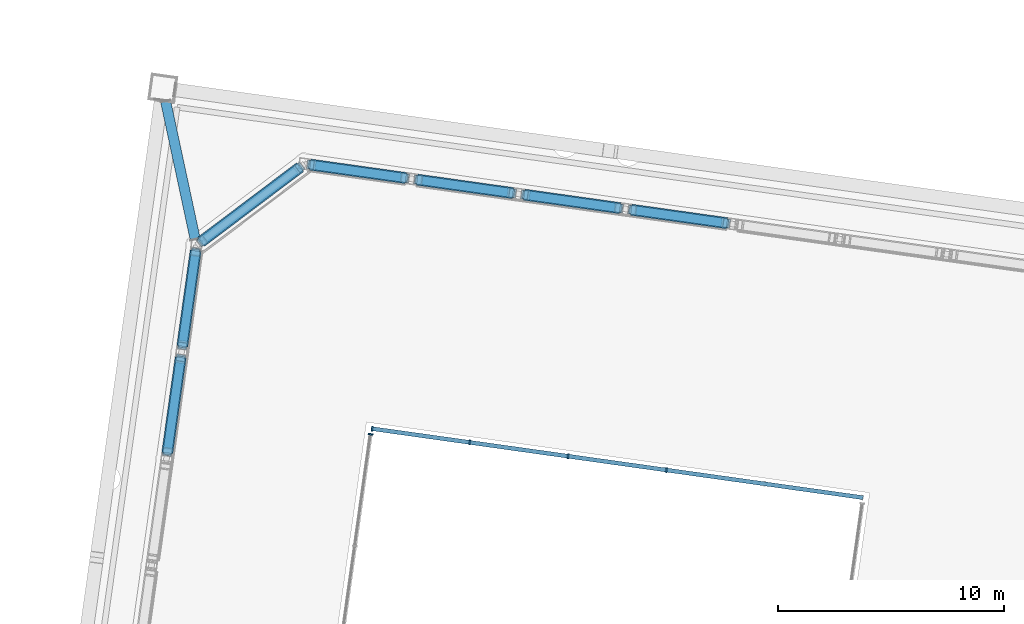
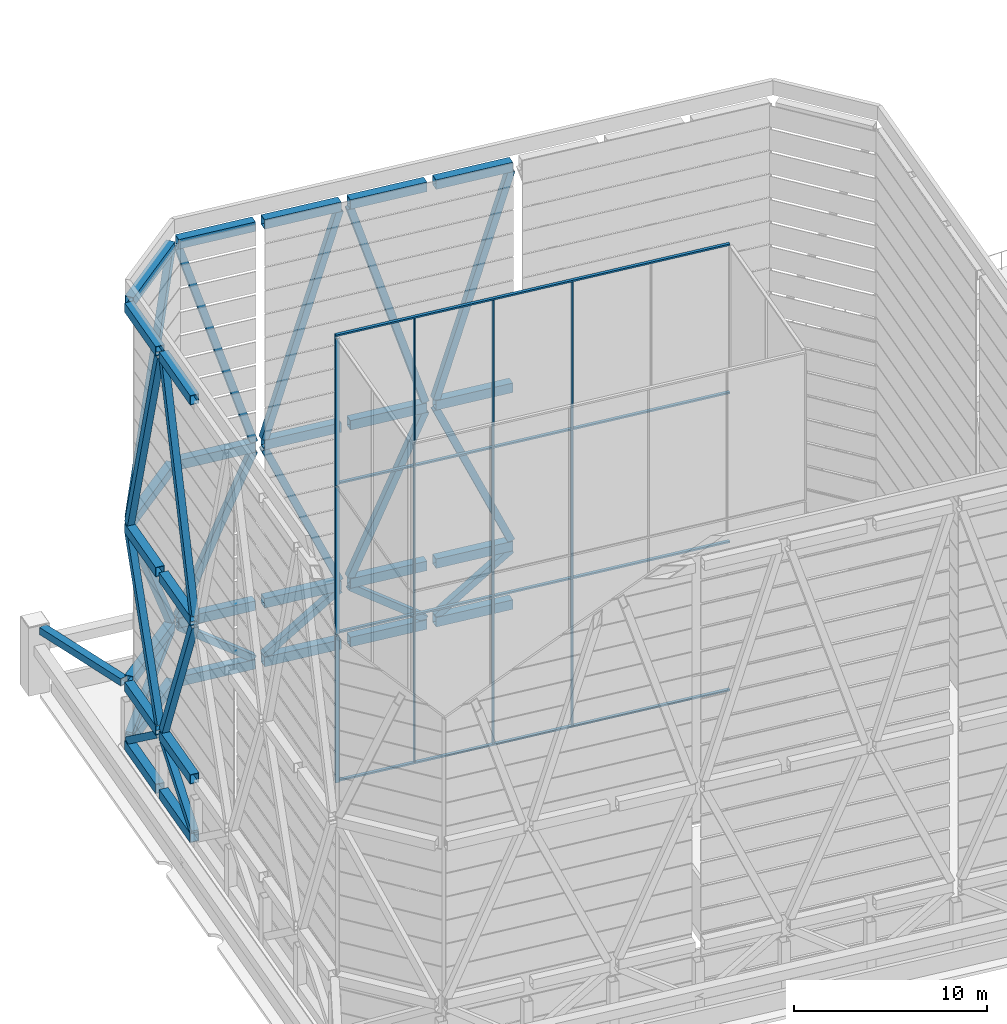
# One storey, part 9 of 45: 41 members, 28 beams, 2 elements without a shape of their own.
"""IFC4 building model written with IfcOpenShell, lengths in metres."""

from ifc_helpers import new_model, si_unit, direction, frame, origin, origin_2d, place, context, subcontext, project, spatial, rectangle, hollow_rectangle, extrude, material, material_profile, profile_set, type_object, element, aggregate, save


model = new_model("IFC4")

# Units and contexts
model_context = context("Model", 3, precision=1e-05, world=origin(), true_north=direction((0.0, 1.0)))
body_context = subcontext(model_context, "Body", "Model", "MODEL_VIEW")
ifc_project = project(units=[si_unit("LENGTHUNIT", "METRE"), si_unit("AREAUNIT", "SQUARE_METRE"), si_unit("VOLUMEUNIT", "CUBIC_METRE"), si_unit("PLANEANGLEUNIT", "RADIAN"), si_unit("MASSUNIT", "GRAM", prefix="KILO")], contexts=[model_context])

# Site, building, storey
site_placement = place(None, origin())
site = spatial("IfcSite", under=ifc_project, at=site_placement, CompositionType="ELEMENT")
building_placement = place(site_placement, origin())
building = spatial("IfcBuilding", under=site, at=building_placement, Name="Mirante Cascada Hotel Towers", CompositionType="ELEMENT")
storey_placement = place(building_placement, frame((0.0, 0.0, 269.8)))
storey = spatial("IfcBuildingStorey", under=building, at=storey_placement, Name="Roof garden", CompositionType="ELEMENT", Elevation=269.8)

# Beams
ifc_material_1 = material(Name="Steel ASTM A572 Gr 50", Category="steel")
ifc_material_profile_1 = material_profile(ifc_material_1, hollow_rectangle(XDim=0.5, YDim=0.6, WallThickness=0.03, at=origin_2d()), Name="Box beam 600x500x30 ASTM A572 Gr 50")
ifc_profile_set_1 = profile_set([ifc_material_profile_1], Name="Steel ASTM A572 Gr 50")
beam_type = type_object("IfcBeamType", Name="Box beam 600x500x30 ASTM A572 Gr 50", PredefinedType="BEAM", material=ifc_profile_set_1)
for number, where, z_axis, x_axis, name in (
    (1, (-30.7988, 16.8446, 0.3), (-0.9902679, 0.1391744, 0.0), (-0.1391744, -0.9902679, 0.0), "CROWN FRAME ring beam T1 12"),
    (2, (-35.5397, 17.5108, 0.3), (-0.9902647, 0.1391973, 0.0), (-0.1391973, -0.9902647, 0.0), "CROWN FRAME ring beam T1 13"),
    (3, (-40.2806, 18.1771, 0.3), (-0.9902679, 0.1391744, 0.0), (-0.1391744, -0.9902679, 0.0), "CROWN FRAME ring beam T1 14"),
    (4, (-45.0215, 18.8434, 0.3), (-0.9902679, 0.1391744, 0.0), (-0.1391744, -0.9902679, 0.0), "CROWN FRAME ring beam T1 15"),
):
    element("IfcBeam", number, at=place(storey_placement, frame(where, z_axis=z_axis, x_axis=x_axis)), inside=storey, type_object=beam_type, Name=name, PredefinedType="BEAM", context=body_context, shape_type="SweptSolid", body=[
        extrude(hollow_rectangle(XDim=0.5, YDim=0.6, WallThickness=0.03, at=origin_2d()), origin(), (0.0, 0.0, 1.0), 4.2874),
    ])
beam_1_placement = place(storey_placement, frame((-49.7144, 19.3245, 0.3), z_axis=(-0.7986365, -0.6018137, 0.0), x_axis=(0.6018137, -0.7986365, 0.0)))
element("IfcBeam", 5, at=beam_1_placement, inside=storey, type_object=beam_type, Name="CROWN FRAME ring beam T1 16", PredefinedType="BEAM", context=body_context, shape_type="SweptSolid", body=[
    extrude(hollow_rectangle(XDim=0.5, YDim=0.6, WallThickness=0.03, at=origin_2d()), origin(), (0.0, 0.0, 1.0), 5.4912),
])
beam_2_placement = place(storey_placement, frame((-54.3343, 15.6218, 0.3), z_axis=(-0.1391856, -0.9902663, 0.0), x_axis=(0.9902663, -0.1391856, 0.0)))
element("IfcBeam", 6, at=beam_2_placement, inside=storey, type_object=beam_type, Name="CROWN FRAME ring beam T1 17", PredefinedType="BEAM", context=body_context, shape_type="SweptSolid", body=[
    extrude(hollow_rectangle(XDim=0.5, YDim=0.6, WallThickness=0.03, at=origin_2d()), origin(), (0.0, 0.0, 1.0), 4.2713),
])
beam_3_placement = place(storey_placement, frame((-54.9984, 10.897, 0.3), z_axis=(-0.1391659, -0.9902691, 0.0), x_axis=(0.9902691, -0.1391659, 0.0)))
element("IfcBeam", 7, at=beam_3_placement, inside=storey, type_object=beam_type, Name="CROWN FRAME ring beam T1 18", PredefinedType="BEAM", context=body_context, shape_type="SweptSolid", body=[
    extrude(hollow_rectangle(XDim=0.5, YDim=0.6, WallThickness=0.03, at=origin_2d()), origin(), (0.0, 0.0, 1.0), 4.2712),
])
for number, where, z_axis, x_axis, name in (
    (8, (-30.7988, 16.8446, 4.0), (-0.9902679, 0.1391744, 0.0), (-0.1391744, -0.9902679, 0.0), "CROWN FRAME ring beam T1 42"),
    (9, (-35.5397, 17.5108, 4.0), (-0.9902647, 0.1391973, 0.0), (-0.1391973, -0.9902647, 0.0), "CROWN FRAME ring beam T1 43"),
    (10, (-40.2806, 18.1771, 4.0), (-0.9902679, 0.1391744, 0.0), (-0.1391744, -0.9902679, 0.0), "CROWN FRAME ring beam T1 44"),
    (11, (-45.0215, 18.8434, 4.0), (-0.9902679, 0.1391744, 0.0), (-0.1391744, -0.9902679, 0.0), "CROWN FRAME ring beam T1 45"),
):
    element("IfcBeam", number, at=place(storey_placement, frame(where, z_axis=z_axis, x_axis=x_axis)), inside=storey, type_object=beam_type, Name=name, PredefinedType="BEAM", context=body_context, shape_type="SweptSolid", body=[
        extrude(hollow_rectangle(XDim=0.5, YDim=0.6, WallThickness=0.03, at=origin_2d()), origin(), (0.0, 0.0, 1.0), 4.2874),
    ])
beam_4_placement = place(storey_placement, frame((-49.7144, 19.3245, 4.0), z_axis=(-0.7986365, -0.6018137, 0.0), x_axis=(0.6018137, -0.7986365, 0.0)))
element("IfcBeam", 12, at=beam_4_placement, inside=storey, type_object=beam_type, Name="CROWN FRAME ring beam T1 46", PredefinedType="BEAM", context=body_context, shape_type="SweptSolid", body=[
    extrude(hollow_rectangle(XDim=0.5, YDim=0.6, WallThickness=0.03, at=origin_2d()), origin(), (0.0, 0.0, 1.0), 5.4912),
])
beam_5_placement = place(storey_placement, frame((-54.3343, 15.6218, 4.0), z_axis=(-0.1391856, -0.9902663, 0.0), x_axis=(0.9902663, -0.1391856, 0.0)))
element("IfcBeam", 13, at=beam_5_placement, inside=storey, type_object=beam_type, Name="CROWN FRAME ring beam T1 47", PredefinedType="BEAM", context=body_context, shape_type="SweptSolid", body=[
    extrude(hollow_rectangle(XDim=0.5, YDim=0.6, WallThickness=0.03, at=origin_2d()), origin(), (0.0, 0.0, 1.0), 4.2713),
])
beam_6_placement = place(storey_placement, frame((-54.9984, 10.897, 4.0), z_axis=(-0.1391659, -0.9902691, 0.0), x_axis=(0.9902691, -0.1391659, 0.0)))
element("IfcBeam", 14, at=beam_6_placement, inside=storey, type_object=beam_type, Name="CROWN FRAME ring beam T1 48", PredefinedType="BEAM", context=body_context, shape_type="SweptSolid", body=[
    extrude(hollow_rectangle(XDim=0.5, YDim=0.6, WallThickness=0.03, at=origin_2d()), origin(), (0.0, 0.0, 1.0), 4.2712),
])
for number, where, z_axis, x_axis, name in (
    (15, (-30.7988, 16.8446, 14.0), (-0.9902679, 0.1391744, 0.0), (-0.1391744, -0.9902679, 0.0), "CROWN FRAME ring beam T1 72"),
    (16, (-35.5397, 17.5108, 14.0), (-0.9902647, 0.1391973, 0.0), (-0.1391973, -0.9902647, 0.0), "CROWN FRAME ring beam T1 73"),
    (17, (-40.2806, 18.1771, 14.0), (-0.9902679, 0.1391744, 0.0), (-0.1391744, -0.9902679, 0.0), "CROWN FRAME ring beam T1 74"),
    (18, (-45.0215, 18.8434, 14.0), (-0.9902679, 0.1391744, 0.0), (-0.1391744, -0.9902679, 0.0), "CROWN FRAME ring beam T1 75"),
):
    element("IfcBeam", number, at=place(storey_placement, frame(where, z_axis=z_axis, x_axis=x_axis)), inside=storey, type_object=beam_type, Name=name, PredefinedType="BEAM", context=body_context, shape_type="SweptSolid", body=[
        extrude(hollow_rectangle(XDim=0.5, YDim=0.6, WallThickness=0.03, at=origin_2d()), origin(), (0.0, 0.0, 1.0), 4.2874),
    ])
beam_7_placement = place(storey_placement, frame((-49.7144, 19.3245, 14.0), z_axis=(-0.7986365, -0.6018137, 0.0), x_axis=(0.6018137, -0.7986365, 0.0)))
element("IfcBeam", 19, at=beam_7_placement, inside=storey, type_object=beam_type, Name="CROWN FRAME ring beam T1 76", PredefinedType="BEAM", context=body_context, shape_type="SweptSolid", body=[
    extrude(hollow_rectangle(XDim=0.5, YDim=0.6, WallThickness=0.03, at=origin_2d()), origin(), (0.0, 0.0, 1.0), 5.4912),
])
beam_8_placement = place(storey_placement, frame((-54.3343, 15.6218, 14.0), z_axis=(-0.1391856, -0.9902663, 0.0), x_axis=(0.9902663, -0.1391856, 0.0)))
element("IfcBeam", 20, at=beam_8_placement, inside=storey, type_object=beam_type, Name="CROWN FRAME ring beam T1 77", PredefinedType="BEAM", context=body_context, shape_type="SweptSolid", body=[
    extrude(hollow_rectangle(XDim=0.5, YDim=0.6, WallThickness=0.03, at=origin_2d()), origin(), (0.0, 0.0, 1.0), 4.2713),
])
beam_9_placement = place(storey_placement, frame((-54.9984, 10.897, 14.0), z_axis=(-0.1391659, -0.9902691, 0.0), x_axis=(0.9902691, -0.1391659, 0.0)))
element("IfcBeam", 21, at=beam_9_placement, inside=storey, type_object=beam_type, Name="CROWN FRAME ring beam T1 78", PredefinedType="BEAM", context=body_context, shape_type="SweptSolid", body=[
    extrude(hollow_rectangle(XDim=0.5, YDim=0.6, WallThickness=0.03, at=origin_2d()), origin(), (0.0, 0.0, 1.0), 4.2712),
])
for number, where, z_axis, x_axis, name in (
    (22, (-30.7988, 16.8446, 27.95), (-0.9902679, 0.1391744, 0.0), (-0.1391744, -0.9902679, 0.0), "CROWN FRAME ring beam T1 102"),
    (23, (-35.5397, 17.5108, 27.95), (-0.9902647, 0.1391973, 0.0), (-0.1391973, -0.9902647, 0.0), "CROWN FRAME ring beam T1 103"),
    (24, (-40.2806, 18.1771, 27.95), (-0.9902679, 0.1391744, 0.0), (-0.1391744, -0.9902679, 0.0), "CROWN FRAME ring beam T1 104"),
    (25, (-45.0215, 18.8434, 27.95), (-0.9902679, 0.1391744, 0.0), (-0.1391744, -0.9902679, 0.0), "CROWN FRAME ring beam T1 105"),
):
    element("IfcBeam", number, at=place(storey_placement, frame(where, z_axis=z_axis, x_axis=x_axis)), inside=storey, type_object=beam_type, Name=name, PredefinedType="BEAM", context=body_context, shape_type="SweptSolid", body=[
        extrude(hollow_rectangle(XDim=0.5, YDim=0.6, WallThickness=0.03, at=origin_2d()), origin(), (0.0, 0.0, 1.0), 4.2874),
    ])
beam_10_placement = place(storey_placement, frame((-49.7144, 19.3245, 27.95), z_axis=(-0.7986365, -0.6018137, 0.0), x_axis=(0.6018137, -0.7986365, 0.0)))
element("IfcBeam", 26, at=beam_10_placement, inside=storey, type_object=beam_type, Name="CROWN FRAME ring beam T1 106", PredefinedType="BEAM", context=body_context, shape_type="SweptSolid", body=[
    extrude(hollow_rectangle(XDim=0.5, YDim=0.6, WallThickness=0.03, at=origin_2d()), origin(), (0.0, 0.0, 1.0), 5.4912),
])
beam_11_placement = place(storey_placement, frame((-54.3343, 15.6218, 27.95), z_axis=(-0.1391856, -0.9902663, 0.0), x_axis=(0.9902663, -0.1391856, 0.0)))
element("IfcBeam", 27, at=beam_11_placement, inside=storey, type_object=beam_type, Name="CROWN FRAME ring beam T1 107", PredefinedType="BEAM", context=body_context, shape_type="SweptSolid", body=[
    extrude(hollow_rectangle(XDim=0.5, YDim=0.6, WallThickness=0.03, at=origin_2d()), origin(), (0.0, 0.0, 1.0), 4.2713),
])
beam_12_placement = place(storey_placement, frame((-54.9984, 10.897, 27.95), z_axis=(-0.1391659, -0.9902691, 0.0), x_axis=(0.9902691, -0.1391659, 0.0)))
element("IfcBeam", 28, at=beam_12_placement, inside=storey, type_object=beam_type, Name="CROWN FRAME ring beam T1 108", PredefinedType="BEAM", context=body_context, shape_type="SweptSolid", body=[
    extrude(hollow_rectangle(XDim=0.5, YDim=0.6, WallThickness=0.03, at=origin_2d()), origin(), (0.0, 0.0, 1.0), 4.2712),
])

# Members
ifc_material_2 = material(Name="Steel ASTM A572 Gr 50", Category="steel")
ifc_material_profile_2 = material_profile(ifc_material_2, hollow_rectangle(XDim=0.4, YDim=0.4, WallThickness=0.025, at=origin_2d()), Name="Box brace 400x400x25 ASTM A572 Gr 50")
ifc_profile_set_2 = profile_set([ifc_material_profile_2], Name="Steel ASTM A572 Gr 50")
member_type_1 = type_object("IfcMemberType", Name="Box brace 400x400x25 ASTM A572 Gr 50", PredefinedType="BRACE", material=ifc_profile_set_2)
for number, where, z_axis, x_axis, name in (
    (29, (-34.995, 17.4343, 0.6), (0.7959018, -0.1118604, 0.5950022), (0.1391776, 0.9902674, 0.0), "Hat truss diagonal T1 12"),
    (30, (-35.5892, 17.5178, 0.6), (-0.7959018, 0.1118604, 0.5950022), (-0.1391776, -0.9902674, 0.0), "Hat truss diagonal T1 13"),
    (31, (-44.4768, 18.7669, 0.6), (0.7959018, -0.1118604, 0.5950022), (0.1391776, 0.9902674, 0.0), "Hat truss diagonal T1 14"),
    (32, (-45.071, 18.8504, 0.6), (-0.7959018, 0.1118604, 0.5950022), (-0.1391776, -0.9902674, 0.0), "Hat truss diagonal T1 15"),
):
    element("IfcMember", number, at=place(storey_placement, frame(where, z_axis=z_axis, x_axis=x_axis)), inside=storey, type_object=member_type_1, Name=name, PredefinedType="BRACE", context=body_context, shape_type="SweptSolid", body=[
        extrude(hollow_rectangle(XDim=0.4, YDim=0.4, WallThickness=0.025, at=origin_2d()), origin(), (0.0, 0.0, 1.0), 5.2101),
    ])
member_1_placement = place(storey_placement, frame((-54.06, 16.0499, 0.6), z_axis=(0.6923388, 0.5217143, 0.4984788), x_axis=(-0.6018147, 0.7986357, 0.0)))
element("IfcMember", 33, at=member_1_placement, inside=storey, type_object=member_type_1, Name="Hat truss diagonal T1 16", PredefinedType="BRACE", context=body_context, shape_type="SweptSolid", body=[
    extrude(hollow_rectangle(XDim=0.4, YDim=0.4, WallThickness=0.025, at=origin_2d()), origin(), (0.0, 0.0, 1.0), 6.2189),
])
for number, where, z_axis, x_axis, name in (
    (34, (-54.3413, 15.5723, 0.6), (-0.111699, -0.7948043, 0.5964977), (0.9902687, -0.1391689, 0.0), "Hat truss diagonal T1 17"),
    (35, (-55.5858, 6.7169, 0.6), (0.111699, 0.7948043, 0.5964977), (-0.9902687, 0.1391689, 0.0), "Hat truss diagonal T1 18"),
):
    element("IfcMember", number, at=place(storey_placement, frame(where, z_axis=z_axis, x_axis=x_axis)), inside=storey, type_object=member_type_1, Name=name, PredefinedType="BRACE", context=body_context, shape_type="SweptSolid", body=[
        extrude(hollow_rectangle(XDim=0.4, YDim=0.4, WallThickness=0.025, at=origin_2d()), origin(), (0.0, 0.0, 1.0), 5.197),
    ])
for number, where, z_axis, x_axis, name in (
    (36, (-30.8483, 16.8515, 4.3), (-0.4029632, 0.0566347, 0.9134622), (-0.1391776, -0.9902674, 0.0), "CROWN FRAME brace T1 42"),
    (37, (-39.7359, 18.1006, 4.3), (0.4029632, -0.0566347, 0.9134622), (0.1391776, 0.9902674, 0.0), "CROWN FRAME brace T1 43"),
    (38, (-40.3301, 18.1841, 4.3), (-0.4029632, 0.0566347, 0.9134622), (-0.1391776, -0.9902674, 0.0), "CROWN FRAME brace T1 44"),
    (39, (-49.2177, 19.4332, 4.3), (0.4029632, -0.0566347, 0.9134622), (0.1391776, 0.9902674, 0.0), "CROWN FRAME brace T1 45"),
):
    element("IfcMember", number, at=place(storey_placement, frame(where, z_axis=z_axis, x_axis=x_axis)), inside=storey, type_object=member_type_1, Name=name, PredefinedType="BRACE", context=body_context, shape_type="SweptSolid", body=[
        extrude(hollow_rectangle(XDim=0.4, YDim=0.4, WallThickness=0.025, at=origin_2d()), origin(), (0.0, 0.0, 1.0), 10.2905),
    ])
member_2_placement = place(storey_placement, frame((-49.7544, 19.2944, 4.3), z_axis=(-0.3973319, -0.2994109, 0.8674563), x_axis=(0.6018147, -0.7986357, 0.0)))
element("IfcMember", 40, at=member_2_placement, inside=storey, type_object=member_type_1, Name="CROWN FRAME brace T1 46", PredefinedType="BRACE", context=body_context, shape_type="SweptSolid", body=[
    extrude(hollow_rectangle(XDim=0.4, YDim=0.4, WallThickness=0.025, at=origin_2d()), origin(), (0.0, 0.0, 1.0), 10.8363),
])
for number, where, z_axis, x_axis, name in (
    (41, (-54.9218, 11.4417, 4.3), (0.0564474, 0.4016565, 0.9140491), (-0.9902687, 0.1391689, 0.0), "CROWN FRAME brace T1 47"),
    (42, (-55.0053, 10.8475, 4.3), (-0.0564474, -0.4016565, 0.9140491), (0.9902687, -0.1391689, 0.0), "CROWN FRAME brace T1 48"),
):
    element("IfcMember", number, at=place(storey_placement, frame(where, z_axis=z_axis, x_axis=x_axis)), inside=storey, type_object=member_type_1, Name=name, PredefinedType="BRACE", context=body_context, shape_type="SweptSolid", body=[
        extrude(hollow_rectangle(XDim=0.4, YDim=0.4, WallThickness=0.025, at=origin_2d()), origin(), (0.0, 0.0, 1.0), 10.2839),
    ])
for number, where, z_axis, x_axis, name in (
    (43, (-34.995, 17.4343, 14.3), (0.2963764, -0.0416544, 0.9541624), (0.1391776, 0.9902674, 0.0), "CROWN FRAME brace T1 72"),
    (44, (-35.5892, 17.5178, 14.3), (-0.2963764, 0.0416544, 0.9541624), (-0.1391776, -0.9902674, 0.0), "CROWN FRAME brace T1 73"),
    (45, (-44.4768, 18.7669, 14.3), (0.2963764, -0.0416544, 0.9541624), (0.1391776, 0.9902674, 0.0), "CROWN FRAME brace T1 74"),
    (46, (-45.071, 18.8504, 14.3), (-0.2963764, 0.0416544, 0.9541624), (-0.1391776, -0.9902674, 0.0), "CROWN FRAME brace T1 75"),
):
    element("IfcMember", number, at=place(storey_placement, frame(where, z_axis=z_axis, x_axis=x_axis)), inside=storey, type_object=member_type_1, Name=name, PredefinedType="BRACE", context=body_context, shape_type="SweptSolid", body=[
        extrude(hollow_rectangle(XDim=0.4, YDim=0.4, WallThickness=0.025, at=origin_2d()), origin(), (0.0, 0.0, 1.0), 13.9913),
    ])
member_3_placement = place(storey_placement, frame((-54.06, 16.0499, 14.3), z_axis=(0.2990523, 0.2253519, 0.9272455), x_axis=(-0.6018147, 0.7986357, 0.0)))
element("IfcMember", 47, at=member_3_placement, inside=storey, type_object=member_type_1, Name="CROWN FRAME brace T1 76", PredefinedType="BRACE", context=body_context, shape_type="SweptSolid", body=[
    extrude(hollow_rectangle(XDim=0.4, YDim=0.4, WallThickness=0.025, at=origin_2d()), origin(), (0.0, 0.0, 1.0), 14.3975),
])
for number, where, z_axis, x_axis, name in (
    (48, (-54.3413, 15.5723, 14.3), (-0.0415044, -0.2953283, 0.9544939), (0.9902687, -0.1391689, 0.0), "CROWN FRAME brace T1 77"),
    (49, (-55.5858, 6.7169, 14.3), (0.0415044, 0.2953283, 0.9544939), (-0.9902687, 0.1391689, 0.0), "CROWN FRAME brace T1 78"),
):
    element("IfcMember", number, at=place(storey_placement, frame(where, z_axis=z_axis, x_axis=x_axis)), inside=storey, type_object=member_type_1, Name=name, PredefinedType="BRACE", context=body_context, shape_type="SweptSolid", body=[
        extrude(hollow_rectangle(XDim=0.4, YDim=0.4, WallThickness=0.025, at=origin_2d()), origin(), (0.0, 0.0, 1.0), 13.9865),
    ])
ifc_material_3 = material(Name="Steel ASTM A572 Gr 50", Category="steel")
ifc_material_profile_3 = material_profile(ifc_material_3, hollow_rectangle(XDim=0.45, YDim=0.45, WallThickness=0.03, at=origin_2d()), Name="Box tie 450x450x30 ASTM A572 Gr 50")
ifc_profile_set_3 = profile_set([ifc_material_profile_3], Name="Steel ASTM A572 Gr 50")
member_type_2 = type_object("IfcMemberType", Name="Box tie 450x450x30 ASTM A572 Gr 50", PredefinedType="STRUT", material=ifc_profile_set_3)
member_4_placement = place(storey_placement, frame((-55.6721, 22.259, 4.0), z_axis=(0.2100138, -0.9776984, 0.0), x_axis=(0.9776984, 0.2100138, 0.0)))
element("IfcMember", 50, at=member_4_placement, inside=storey, type_object=member_type_2, Name="CROWN FRAME tie T1 3", PredefinedType="STRUT", context=body_context, shape_type="SweptSolid", body=[
    extrude(hollow_rectangle(XDim=0.45, YDim=0.45, WallThickness=0.03, at=origin_2d()), origin(), (0.0, 0.0, 1.0), 6.2691),
])

# Curtain wall, members
ifc_material_4 = material(Name="Aluminium mullion and transom frame with clear laminated glass", Category="aluminium")
curtain_wall_type = type_object("IfcCurtainWallType", Name="Atrium rooflight wall ECW6", PredefinedType="NOTDEFINED", material=ifc_material_4)
curtain_wall_1_placement = place(storey_placement, origin())
curtain_wall_1 = element("IfcCurtainWall", 51, at=curtain_wall_1_placement, inside=storey, type_object=curtain_wall_type, Name="Atrium rooflight wall T1 outer", PredefinedType="NOTDEFINED")
ifc_material_5 = material(Name="Anodised aluminium extrusion", Category="aluminium")
ifc_material_profile_4 = material_profile(ifc_material_5, rectangle(XDim=0.22, YDim=0.07, at=origin_2d()), Name="ECW6 MULLION 70x220")
ifc_profile_set_4 = profile_set([ifc_material_profile_4], Name="Anodised aluminium extrusion")
member_type_3 = type_object("IfcMemberType", Name="ECW6 mullion 70x220", PredefinedType="MULLION", material=ifc_profile_set_4)
member_5_placement = place(storey_placement, frame((-46.5898, 7.4963, 0.1), z_axis=(0.0, 0.0, 1.0), x_axis=(-0.9902681, 0.1391731, 0.0)))
member_5 = element("IfcMember", 52, at=member_5_placement, type_object=member_type_3, Name="ECW6 mullion 3", PredefinedType="MULLION", context=body_context, shape_type="SweptSolid", body=[
    extrude(rectangle(XDim=0.22, YDim=0.07, at=origin_2d()), origin(), (0.0, 0.0, 1.0), 9.2667),
])
member_6_placement = place(storey_placement, frame((-46.5898, 7.4963, 9.4667), z_axis=(0.0, 0.0, 1.0), x_axis=(-0.9902681, 0.1391731, 0.0)))
member_6 = element("IfcMember", 53, at=member_6_placement, type_object=member_type_3, Name="ECW6 mullion 3", PredefinedType="MULLION", context=body_context, shape_type="SweptSolid", body=[
    extrude(rectangle(XDim=0.22, YDim=0.07, at=origin_2d()), origin(), (0.0, 0.0, 1.0), 9.3166),
])
member_7_placement = place(storey_placement, frame((-46.5898, 7.4963, 18.8833), z_axis=(0.0, 0.0, 1.0), x_axis=(-0.9902681, 0.1391731, 0.0)))
member_7 = element("IfcMember", 54, at=member_7_placement, type_object=member_type_3, Name="ECW6 mullion 3", PredefinedType="MULLION", context=body_context, shape_type="SweptSolid", body=[
    extrude(rectangle(XDim=0.22, YDim=0.07, at=origin_2d()), origin(), (0.0, 0.0, 1.0), 9.2667),
])
aggregate(curtain_wall_1, [member_5, member_6, member_7])

curtain_wall_2_placement = place(storey_placement, origin())
curtain_wall_2 = element("IfcCurtainWall", 55, at=curtain_wall_2_placement, inside=storey, type_object=curtain_wall_type, Name="Atrium rooflight wall T1 long front", PredefinedType="NOTDEFINED")
member_8_placement = place(storey_placement, frame((-46.5197, 7.7439, 0.1), z_axis=(0.0, 0.0, 1.0), x_axis=(0.1391731, 0.9902681, 0.0)))
member_8 = element("IfcMember", 56, at=member_8_placement, type_object=member_type_3, Name="ECW6 mullion 1", PredefinedType="MULLION", context=body_context, shape_type="SweptSolid", body=[
    extrude(rectangle(XDim=0.22, YDim=0.07, at=origin_2d()), origin(), (0.0, 0.0, 1.0), 9.2667),
])
member_9_placement = place(storey_placement, frame((-46.5197, 7.7439, 9.4667), z_axis=(0.0, 0.0, 1.0), x_axis=(0.1391731, 0.9902681, 0.0)))
member_9 = element("IfcMember", 57, at=member_9_placement, type_object=member_type_3, Name="ECW6 mullion 1", PredefinedType="MULLION", context=body_context, shape_type="SweptSolid", body=[
    extrude(rectangle(XDim=0.22, YDim=0.07, at=origin_2d()), origin(), (0.0, 0.0, 1.0), 9.3166),
])
member_10_placement = place(storey_placement, frame((-46.5197, 7.7439, 18.8833), z_axis=(0.0, 0.0, 1.0), x_axis=(0.1391731, 0.9902681, 0.0)))
member_10 = element("IfcMember", 58, at=member_10_placement, type_object=member_type_3, Name="ECW6 mullion 1", PredefinedType="MULLION", context=body_context, shape_type="SweptSolid", body=[
    extrude(rectangle(XDim=0.22, YDim=0.07, at=origin_2d()), origin(), (0.0, 0.0, 1.0), 9.2667),
])
member_11_placement = place(storey_placement, frame((-42.1972, 7.1364, 0.1), z_axis=(0.0, 0.0, 1.0), x_axis=(0.1391731, 0.9902681, 0.0)))
member_11 = element("IfcMember", 59, at=member_11_placement, type_object=member_type_3, Name="ECW6 mullion 2", PredefinedType="MULLION", context=body_context, shape_type="SweptSolid", body=[
    extrude(rectangle(XDim=0.22, YDim=0.07, at=origin_2d()), origin(), (0.0, 0.0, 1.0), 9.2667),
])
member_12_placement = place(storey_placement, frame((-42.1972, 7.1364, 9.4667), z_axis=(0.0, 0.0, 1.0), x_axis=(0.1391731, 0.9902681, 0.0)))
member_12 = element("IfcMember", 60, at=member_12_placement, type_object=member_type_3, Name="ECW6 mullion 2", PredefinedType="MULLION", context=body_context, shape_type="SweptSolid", body=[
    extrude(rectangle(XDim=0.22, YDim=0.07, at=origin_2d()), origin(), (0.0, 0.0, 1.0), 9.3166),
])
member_13_placement = place(storey_placement, frame((-42.1972, 7.1364, 18.8833), z_axis=(0.0, 0.0, 1.0), x_axis=(0.1391731, 0.9902681, 0.0)))
member_13 = element("IfcMember", 61, at=member_13_placement, type_object=member_type_3, Name="ECW6 mullion 2", PredefinedType="MULLION", context=body_context, shape_type="SweptSolid", body=[
    extrude(rectangle(XDim=0.22, YDim=0.07, at=origin_2d()), origin(), (0.0, 0.0, 1.0), 9.2667),
])
member_14_placement = place(storey_placement, frame((-37.84, 6.5241, 0.1), z_axis=(0.0, 0.0, 1.0), x_axis=(0.1391731, 0.9902681, 0.0)))
member_14 = element("IfcMember", 62, at=member_14_placement, type_object=member_type_3, Name="ECW6 mullion 3", PredefinedType="MULLION", context=body_context, shape_type="SweptSolid", body=[
    extrude(rectangle(XDim=0.22, YDim=0.07, at=origin_2d()), origin(), (0.0, 0.0, 1.0), 9.2667),
])
member_15_placement = place(storey_placement, frame((-37.84, 6.5241, 9.4667), z_axis=(0.0, 0.0, 1.0), x_axis=(0.1391731, 0.9902681, 0.0)))
member_15 = element("IfcMember", 63, at=member_15_placement, type_object=member_type_3, Name="ECW6 mullion 3", PredefinedType="MULLION", context=body_context, shape_type="SweptSolid", body=[
    extrude(rectangle(XDim=0.22, YDim=0.07, at=origin_2d()), origin(), (0.0, 0.0, 1.0), 9.3166),
])
member_16_placement = place(storey_placement, frame((-37.84, 6.5241, 18.8833), z_axis=(0.0, 0.0, 1.0), x_axis=(0.1391731, 0.9902681, 0.0)))
member_16 = element("IfcMember", 64, at=member_16_placement, type_object=member_type_3, Name="ECW6 mullion 3", PredefinedType="MULLION", context=body_context, shape_type="SweptSolid", body=[
    extrude(rectangle(XDim=0.22, YDim=0.07, at=origin_2d()), origin(), (0.0, 0.0, 1.0), 9.2667),
])
member_17_placement = place(storey_placement, frame((-33.4828, 5.9117, 0.1), z_axis=(0.0, 0.0, 1.0), x_axis=(0.1391731, 0.9902681, 0.0)))
member_17 = element("IfcMember", 65, at=member_17_placement, type_object=member_type_3, Name="ECW6 mullion 4", PredefinedType="MULLION", context=body_context, shape_type="SweptSolid", body=[
    extrude(rectangle(XDim=0.22, YDim=0.07, at=origin_2d()), origin(), (0.0, 0.0, 1.0), 9.2667),
])
member_18_placement = place(storey_placement, frame((-33.4828, 5.9117, 9.4667), z_axis=(0.0, 0.0, 1.0), x_axis=(0.1391731, 0.9902681, 0.0)))
member_18 = element("IfcMember", 66, at=member_18_placement, type_object=member_type_3, Name="ECW6 mullion 4", PredefinedType="MULLION", context=body_context, shape_type="SweptSolid", body=[
    extrude(rectangle(XDim=0.22, YDim=0.07, at=origin_2d()), origin(), (0.0, 0.0, 1.0), 9.3166),
])
member_19_placement = place(storey_placement, frame((-33.4828, 5.9117, 18.8833), z_axis=(0.0, 0.0, 1.0), x_axis=(0.1391731, 0.9902681, 0.0)))
member_19 = element("IfcMember", 67, at=member_19_placement, type_object=member_type_3, Name="ECW6 mullion 4", PredefinedType="MULLION", context=body_context, shape_type="SweptSolid", body=[
    extrude(rectangle(XDim=0.22, YDim=0.07, at=origin_2d()), origin(), (0.0, 0.0, 1.0), 9.2667),
])
ifc_material_6 = material(Name="Anodised aluminium extrusion", Category="aluminium")
ifc_material_profile_5 = material_profile(ifc_material_6, rectangle(XDim=0.18, YDim=0.1, at=origin_2d()), Name="ECW6 TRANSOM 100x180")
ifc_profile_set_5 = profile_set([ifc_material_profile_5], Name="Anodised aluminium extrusion")
member_type_4 = type_object("IfcMemberType", Name="ECW6 transom 100x180", PredefinedType="USERDEFINED", material=ifc_profile_set_5)
member_20_placement = place(storey_placement, frame((-46.5543, 7.7488, 0.05), z_axis=(0.9902681, -0.1391727, 0.0), x_axis=(0.1391727, 0.9902681, 0.0)))
member_20 = element("IfcMember", 68, at=member_20_placement, type_object=member_type_4, Name="ECW6 sill transom", ObjectType="TRANSOM", PredefinedType="USERDEFINED", context=body_context, shape_type="SweptSolid", body=[
    extrude(rectangle(XDim=0.18, YDim=0.1, at=origin_2d()), origin(), (0.0, 0.0, 1.0), 22.0),
])
member_21_placement = place(storey_placement, frame((-46.5543, 7.7488, 9.4167), z_axis=(0.9902681, -0.1391727, 0.0), x_axis=(0.1391727, 0.9902681, 0.0)))
member_21 = element("IfcMember", 69, at=member_21_placement, type_object=member_type_4, Name="ECW6 intermediate transom", ObjectType="TRANSOM", PredefinedType="USERDEFINED", context=body_context, shape_type="SweptSolid", body=[
    extrude(rectangle(XDim=0.18, YDim=0.1, at=origin_2d()), origin(), (0.0, 0.0, 1.0), 22.0),
])
member_22_placement = place(storey_placement, frame((-46.5543, 7.7488, 18.8333), z_axis=(0.9902681, -0.1391727, 0.0), x_axis=(0.1391727, 0.9902681, 0.0)))
member_22 = element("IfcMember", 70, at=member_22_placement, type_object=member_type_4, Name="ECW6 intermediate transom", ObjectType="TRANSOM", PredefinedType="USERDEFINED", context=body_context, shape_type="SweptSolid", body=[
    extrude(rectangle(XDim=0.18, YDim=0.1, at=origin_2d()), origin(), (0.0, 0.0, 1.0), 22.0),
])
member_23_placement = place(storey_placement, frame((-46.5543, 7.7488, 28.2), z_axis=(0.9902681, -0.1391727, 0.0), x_axis=(0.1391727, 0.9902681, 0.0)))
member_23 = element("IfcMember", 71, at=member_23_placement, type_object=member_type_4, Name="ECW6 head transom", ObjectType="TRANSOM", PredefinedType="USERDEFINED", context=body_context, shape_type="SweptSolid", body=[
    extrude(rectangle(XDim=0.18, YDim=0.1, at=origin_2d()), origin(), (0.0, 0.0, 1.0), 22.0),
])
aggregate(curtain_wall_2, [member_20, member_21, member_22, member_23, member_8, member_9, member_10, member_11, member_12, member_13, member_14, member_15, member_16, member_17, member_18, member_19])

save(model, "model.ifc")
